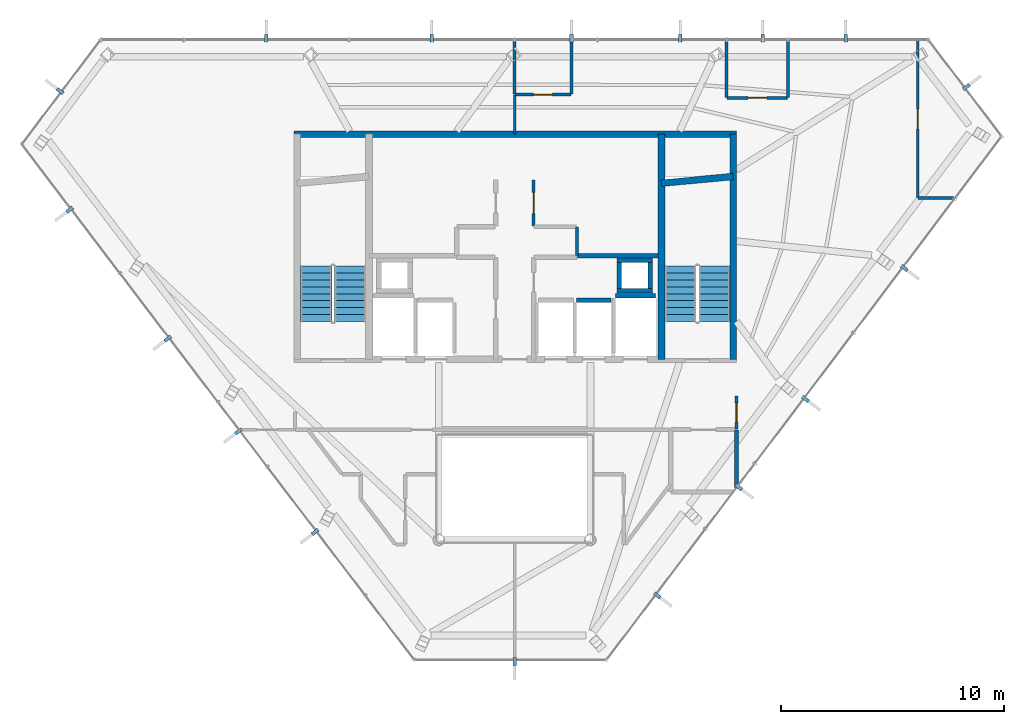
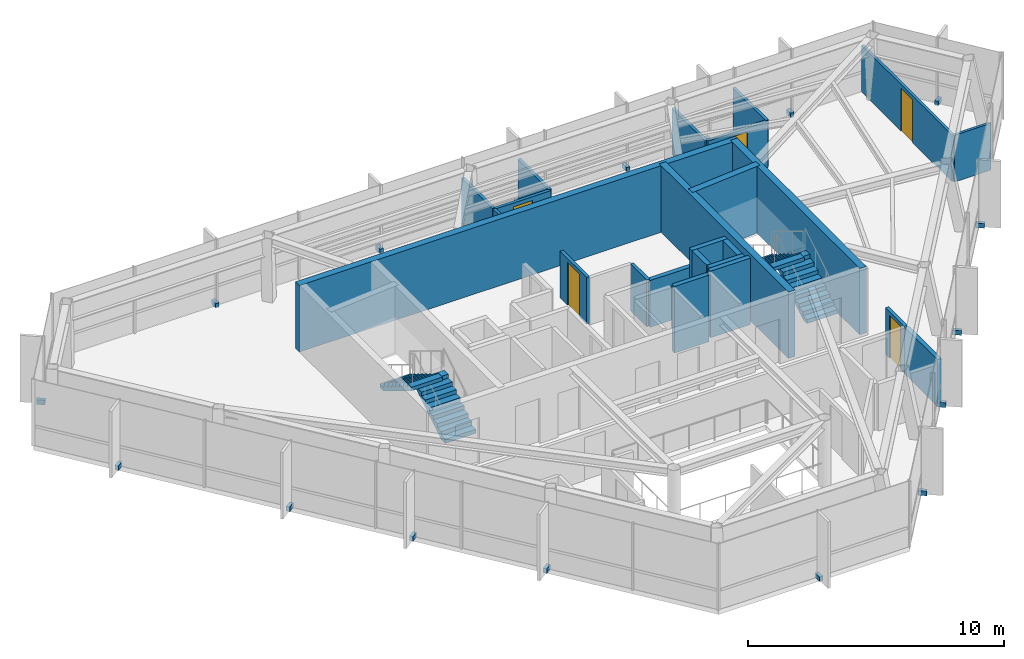
# One storey, part 20 of 21: 24 walls, 17 discrete accessories, 5 doors, 4 stair flights, 5 openings, 2 elements without a shape of their own.
"""IFC4 building model written with IfcOpenShell, lengths in metres."""

from ifc_helpers import new_model, si_unit, direction, frame, frame_2d, origin, origin_2d, place, context, subcontext, project, spatial, polyline, rectangle, outline, extrude, material, layer, layer_set, type_object, element, fill, aggregate, save


model = new_model("IFC4")

# Units and contexts
model_context = context("Model", 3, precision=1e-05, world=origin(), true_north=direction((0.0, 1.0)))
body_context = subcontext(model_context, "Body", "Model", "MODEL_VIEW")
ifc_project = project(units=[si_unit("LENGTHUNIT", "METRE"), si_unit("AREAUNIT", "SQUARE_METRE"), si_unit("VOLUMEUNIT", "CUBIC_METRE"), si_unit("PLANEANGLEUNIT", "RADIAN"), si_unit("MASSUNIT", "GRAM", prefix="KILO")], contexts=[model_context])

# Site, building, storey
site_placement = place(None, origin())
site = spatial("IfcSite", under=ifc_project, at=site_placement, CompositionType="ELEMENT")
building_placement = place(site_placement, origin())
building = spatial("IfcBuilding", under=site, at=building_placement, Name="Zarrinselat Tower", CompositionType="ELEMENT")
storey_placement = place(building_placement, frame((0.0, 0.0, 285.60009765625)))
storey = spatial("IfcBuildingStorey", under=building, at=storey_placement, Name="L73", CompositionType="ELEMENT", Elevation=285.60009765625)

# Wall
ifc_material_1 = material(Name="Concrete C40/50", Category="concrete")
ifc_layer_1 = layer(ifc_material_1, 0.18994140625)
ifc_layer_set_1 = layer_set([ifc_layer_1], Name="Concrete C40/50")
wall_type_1 = type_object("IfcWallType", Name="WAL-PART-EI120", PredefinedType="PARTITIONING", material=ifc_layer_set_1)
wall_1_placement = place(storey_placement, frame((48.35009765625, 27.554443359375, 0.0), z_axis=(0.0, 0.0, 1.0), x_axis=(0.0, 1.0, 0.0)))
element("IfcWall", 1, at=wall_1_placement, inside=storey, type_object=wall_type_1, Name="L73 Partition Wall 20", PredefinedType="PARTITIONING", context=body_context, shape_type="SweptSolid", body=[
    extrude(rectangle(XDim=2.575439453125, YDim=0.18994140625, at=frame_2d((1.28759765625, 0.0))), origin(), (0.0, 0.0, 1.0), 2.23486328125),
])

# Wall, opening, door
ifc_material_2 = material(Name="Fire-Rated Gypsum Board Partition", Category="gypsum")
ifc_layer_2 = layer(ifc_material_2, 0.14990234375)
ifc_layer_set_2 = layer_set([ifc_layer_2], Name="Fire-Rated Gypsum Board Partition")
wall_type_2 = type_object("IfcWallType", Name="WAL-PART-EI60", PredefinedType="PARTITIONING", material=ifc_layer_set_2)
wall_2_placement = place(storey_placement, frame((39.25, 39.27001953125, 0.0), z_axis=(0.0, 0.0, 1.0), x_axis=(0.0, 1.0, 0.0)))
wall_2 = element("IfcWall", 2, at=wall_2_placement, inside=storey, type_object=wall_type_2, Name="L73 Partition Wall 8", PredefinedType="PARTITIONING", context=body_context, shape_type="SweptSolid", body=[
    extrude(rectangle(XDim=2.080078125, YDim=0.14990234375, at=frame_2d((1.0400390625, 0.0))), origin(), (0.0, 0.0, 1.0), 2.23486328125),
])
opening_1_placement = place(wall_2_placement, frame((0.570068359375, 0.0, 0.0)))
opening_1 = element("IfcOpeningElement", 3, at=opening_1_placement, cuts=wall_2, Name="Opening ID-04", PredefinedType="OPENING", context=body_context, shape_type="SweptSolid", body=[
    extrude(rectangle(XDim=0.93994140625, YDim=2.050048828125, at=frame_2d((0.469970703125, 1.02490234375))), frame((0.0, 0.0849609375, 0.0), z_axis=(0.0, -1.0, 0.0), x_axis=(1.0, 0.0, 0.0)), (0.0, 0.0, 1.0), 0.169921875),
])
ifc_material_3 = material(Name="Fire-Rated Gypsum Board Partition")
door_type_1 = type_object("IfcDoorType", Name="DR-INT-FD30-ENT", OperationType="NOTDEFINED", PredefinedType="DOOR", material=ifc_material_3)
door_1_placement = place(opening_1_placement, origin())
door_1 = element("IfcDoor", 4, at=door_1_placement, inside=storey, type_object=door_type_1, Name="L73 Interior Door P8", OperationType="SINGLE_SWING_RIGHT", OverallHeight=2.050048828125, OverallWidth=0.93994140625, PredefinedType="DOOR", context=body_context, shape_type="SweptSolid", body=[
    extrude(rectangle(XDim=0.93994140625, YDim=2.050048828125, at=frame_2d((0.469970703125, 1.02490234375))), frame((0.0, 0.02490234375, 0.0), z_axis=(0.0, -1.0, 0.0), x_axis=(1.0, 0.0, 0.0)), (0.0, 0.0, 1.0), 0.050048828125),
])
fill(opening_1, door_1)

# Wall
wall_3_placement = place(storey_placement, frame((41.199951171875, 37.955078125, 0.0), z_axis=(0.0, 0.0, 1.0), x_axis=(0.0, 1.0, 0.0)))
element("IfcWall", 5, at=wall_3_placement, inside=storey, type_object=wall_type_2, Name="L73 Partition Wall 10", PredefinedType="PARTITIONING", context=body_context, shape_type="SweptSolid", body=[
    extrude(rectangle(XDim=1.27490234375, YDim=0.14990234375, at=frame_2d((0.637451171875, 0.0))), origin(), (0.0, 0.0, 1.0), 2.23486328125),
])

# Wall, opening, door
wall_4_placement = place(storey_placement, frame((48.35009765625, 30.169921875, 0.0), z_axis=(0.0, 0.0, 1.0), x_axis=(0.0, 1.0, 0.0)))
wall_4 = element("IfcWall", 6, at=wall_4_placement, inside=storey, type_object=wall_type_2, Name="L73 Partition Wall 16", PredefinedType="PARTITIONING", context=body_context, shape_type="SweptSolid", body=[
    extrude(rectangle(XDim=1.477783203125, YDim=0.14990234375, at=frame_2d((0.73876953125, 0.0))), origin(), (0.0, 0.0, 1.0), 2.23486328125),
])
opening_2_placement = place(wall_4_placement, frame((0.298828125, 0.0, 0.0)))
opening_2 = element("IfcOpeningElement", 7, at=opening_2_placement, cuts=wall_4, Name="Opening ID-03", PredefinedType="OPENING", context=body_context, shape_type="SweptSolid", body=[
    extrude(rectangle(XDim=0.8798828125, YDim=2.050048828125, at=frame_2d((0.43994140625, 1.02490234375))), frame((0.0, 0.0849609375, 0.0), z_axis=(0.0, -1.0, 0.0), x_axis=(1.0, 0.0, 0.0)), (0.0, 0.0, 1.0), 0.169921875),
])
ifc_material_4 = material(Name="Steel S355J2", Category="steel")
door_type_2 = type_object("IfcDoorType", Name="DR-INT-FD60-S", OperationType="NOTDEFINED", PredefinedType="DOOR", material=ifc_material_4)
door_2_placement = place(opening_2_placement, origin())
door_2 = element("IfcDoor", 8, at=door_2_placement, inside=storey, type_object=door_type_2, Name="L73 Interior Door P16", OperationType="SINGLE_SWING_LEFT", OverallHeight=2.050048828125, OverallWidth=0.8798828125, PredefinedType="DOOR", context=body_context, shape_type="SweptSolid", body=[
    extrude(rectangle(XDim=0.8798828125, YDim=2.050048828125, at=frame_2d((0.43994140625, 1.02490234375))), frame((0.0, 0.02490234375, 0.0), z_axis=(0.0, -1.0, 0.0), x_axis=(1.0, 0.0, 0.0)), (0.0, 0.0, 1.0), 0.050048828125),
])
fill(opening_2, door_2)

# Wall
ifc_material_5 = material(Name="Concrete C40/50", Category="concrete")
ifc_layer_3 = layer(ifc_material_5, 0.199951171875)
ifc_layer_set_3 = layer_set([ifc_layer_3], Name="Concrete C40/50")
wall_type_3 = type_object("IfcWallType", Name="WAL-PART-PLANT", PredefinedType="PARTITIONING", material=ifc_layer_set_3)
wall_5_placement = place(storey_placement, frame((41.219970703125, 37.949951171875, 0.0), z_axis=(0.0, 0.0, 1.0), x_axis=(1.0, 0.0, 0.0)))
element("IfcWall", 9, at=wall_5_placement, inside=storey, type_object=wall_type_3, Name="L73 Partition Wall 12", PredefinedType="PARTITIONING", context=body_context, shape_type="SweptSolid", body=[
    extrude(rectangle(XDim=3.614990234375, YDim=0.199951171875, at=frame_2d((1.8076171875, 0.0))), origin(), (0.0, 0.0, 1.0), 2.23486328125),
])

# Wall, opening, door
ifc_material_6 = material(Name="Fire-Rated Gypsum Board Partition", Category="gypsum")
ifc_layer_4 = layer(ifc_material_6, 0.1201171875)
ifc_layer_set_4 = layer_set([ifc_layer_4], Name="Fire-Rated Gypsum Board Partition")
wall_type_4 = type_object("IfcWallType", Name="WAL-PART-STD", PredefinedType="PARTITIONING", material=ifc_layer_set_4)
wall_6_placement = place(storey_placement, frame((56.473388671875, 40.55517578125, 0.0), z_axis=(0.0, 0.0, 1.0), x_axis=(0.0, 1.0, 0.0)))
wall_6 = element("IfcWall", 10, at=wall_6_placement, inside=storey, type_object=wall_type_4, Name="L73 Partition Wall 38", PredefinedType="PARTITIONING", context=body_context, shape_type="SweptSolid", body=[
    extrude(rectangle(XDim=7.063232421875, YDim=0.1201171875, at=frame_2d((3.53173828125, 0.0))), origin(), (0.0, 0.0, 1.0), 2.23486328125),
])
opening_3_placement = place(wall_6_placement, frame((3.08154296875, 0.0, 0.0)))
opening_3 = element("IfcOpeningElement", 11, at=opening_3_placement, cuts=wall_6, Name="Opening ID-05", PredefinedType="OPENING", context=body_context, shape_type="SweptSolid", body=[
    extrude(rectangle(XDim=0.89990234375, YDim=2.050048828125, at=frame_2d((0.449951171875, 1.02490234375))), frame((0.0, 0.070068359375, 0.0), z_axis=(0.0, -1.0, 0.0), x_axis=(1.0, 0.0, 0.0)), (0.0, 0.0, 1.0), 0.14013671875),
])
ifc_material_7 = material(Name="Extruded Aluminium Alloy EN AW-6063 T6", Category="aluminium")
door_type_3 = type_object("IfcDoorType", Name="DR-INT-STD-920", OperationType="NOTDEFINED", PredefinedType="DOOR", material=ifc_material_7)
door_3_placement = place(opening_3_placement, origin())
door_3 = element("IfcDoor", 12, at=door_3_placement, inside=storey, type_object=door_type_3, Name="L73 Interior Door P38", OperationType="SINGLE_SWING_LEFT", OverallHeight=2.050048828125, OverallWidth=0.89990234375, PredefinedType="DOOR", context=body_context, shape_type="SweptSolid", body=[
    extrude(rectangle(XDim=0.89990234375, YDim=2.050048828125, at=frame_2d((0.449951171875, 1.02490234375))), frame((0.0, 0.02490234375, 0.0), z_axis=(0.0, -1.0, 0.0), x_axis=(1.0, 0.0, 0.0)), (0.0, 0.0, 1.0), 0.050048828125),
])
fill(opening_3, door_3)

# Walls
wall_7_placement = place(storey_placement, frame((56.493408203125, 40.53515625, 0.0), z_axis=(0.0, 0.0, 1.0), x_axis=(1.0, 0.0, 0.0)))
element("IfcWall", 13, at=wall_7_placement, inside=storey, type_object=wall_type_4, Name="L73 Partition Wall 39", PredefinedType="PARTITIONING", context=body_context, shape_type="SweptSolid", body=[
    extrude(rectangle(XDim=1.650634765625, YDim=0.1201171875, at=frame_2d((0.8251953125, 0.0))), origin(), (0.0, 0.0, 1.0), 2.23486328125),
])
wall_8_placement = place(storey_placement, frame((38.39990234375, 43.4150390625, 0.0), z_axis=(0.0, 0.0, 1.0), x_axis=(0.0, 1.0, 0.0)))
element("IfcWall", 14, at=wall_8_placement, inside=storey, type_object=wall_type_4, Name="L73 Partition Wall 40", PredefinedType="PARTITIONING", context=body_context, shape_type="SweptSolid", body=[
    extrude(rectangle(XDim=1.73828125, YDim=0.1201171875, at=frame_2d((0.869140625, 0.0))), origin(), (0.0, 0.0, 1.0), 2.23486328125),
])
ifc_material_8 = material(Name="Fire-Rated Gypsum Board Partition", Category="gypsum")
ifc_layer_5 = layer(ifc_material_8, 0.135009765625)
ifc_layer_set_5 = layer_set([ifc_layer_5], Name="Fire-Rated Gypsum Board Partition")
wall_type_5 = type_object("IfcWallType", Name="WAL-PART-WET", PredefinedType="PARTITIONING", material=ifc_layer_set_5)
wall_9_placement = place(storey_placement, frame((47.91259765625, 45.043212890625, 0.0), z_axis=(0.0, 0.0, 1.0), x_axis=(0.0, 1.0, 0.0)))
element("IfcWall", 15, at=wall_9_placement, inside=storey, type_object=wall_type_5, Name="L73 Partition Wall 33", PredefinedType="PARTITIONING", context=body_context, shape_type="SweptSolid", body=[
    extrude(rectangle(XDim=2.5751953125, YDim=0.135009765625, at=frame_2d((1.28759765625, 0.0))), origin(), (0.0, 0.0, 1.0), 2.23486328125),
])

# Wall, opening, door
wall_10_placement = place(storey_placement, frame((47.9326171875, 45.023193359375, 0.0), z_axis=(0.0, 0.0, 1.0), x_axis=(1.0, 0.0, 0.0)))
wall_10 = element("IfcWall", 16, at=wall_10_placement, inside=storey, type_object=wall_type_5, Name="L73 Partition Wall 34", PredefinedType="PARTITIONING", context=body_context, shape_type="SweptSolid", body=[
    extrude(rectangle(XDim=2.7099609375, YDim=0.135009765625, at=frame_2d((1.35498046875, 0.0))), origin(), (0.0, 0.0, 1.0), 2.23486328125),
])
opening_4_placement = place(wall_10_placement, frame((0.925048828125, 0.0, 0.0)))
opening_4 = element("IfcOpeningElement", 17, at=opening_4_placement, cuts=wall_10, Name="Opening ID-06", PredefinedType="OPENING", context=body_context, shape_type="SweptSolid", body=[
    extrude(rectangle(XDim=0.860107421875, YDim=2.050048828125, at=frame_2d((0.43017578125, 1.02490234375))), frame((0.0, 0.077392578125, 0.0), z_axis=(0.0, -1.0, 0.0), x_axis=(1.0, 0.0, 0.0)), (0.0, 0.0, 1.0), 0.155029296875),
])
ifc_material_9 = material(Name="Extruded Aluminium Alloy EN AW-6063 T6", Category="aluminium")
door_type_4 = type_object("IfcDoorType", Name="DR-INT-WET-900", OperationType="NOTDEFINED", PredefinedType="DOOR", material=ifc_material_9)
door_4_placement = place(opening_4_placement, origin())
door_4 = element("IfcDoor", 18, at=door_4_placement, inside=storey, type_object=door_type_4, Name="L73 Interior Door P34", OperationType="SINGLE_SWING_LEFT", OverallHeight=2.050048828125, OverallWidth=0.860107421875, PredefinedType="DOOR", context=body_context, shape_type="SweptSolid", body=[
    extrude(rectangle(XDim=0.860107421875, YDim=2.050048828125, at=frame_2d((0.43017578125, 1.02490234375))), frame((0.0, 0.02490234375, 0.0), z_axis=(0.0, -1.0, 0.0), x_axis=(1.0, 0.0, 0.0)), (0.0, 0.0, 1.0), 0.050048828125),
])
fill(opening_4, door_4)

# Wall
wall_11_placement = place(storey_placement, frame((50.66259765625, 45.043212890625, 0.0), z_axis=(0.0, 0.0, 1.0), x_axis=(0.0, 1.0, 0.0)))
element("IfcWall", 19, at=wall_11_placement, inside=storey, type_object=wall_type_5, Name="L73 Partition Wall 35", PredefinedType="PARTITIONING", context=body_context, shape_type="SweptSolid", body=[
    extrude(rectangle(XDim=2.5751953125, YDim=0.135009765625, at=frame_2d((1.28759765625, 0.0))), origin(), (0.0, 0.0, 1.0), 2.23486328125),
])

# Wall, opening, door
wall_12_placement = place(storey_placement, frame((38.419921875, 45.17333984375, 0.0), z_axis=(0.0, 0.0, 1.0), x_axis=(1.0, 0.0, 0.0)))
wall_12 = element("IfcWall", 20, at=wall_12_placement, inside=storey, type_object=wall_type_5, Name="L73 Partition Wall 36", PredefinedType="PARTITIONING", context=body_context, shape_type="SweptSolid", body=[
    extrude(rectangle(XDim=2.510009765625, YDim=0.135009765625, at=frame_2d((1.2548828125, 0.0))), origin(), (0.0, 0.0, 1.0), 2.23486328125),
])
opening_5_placement = place(wall_12_placement, frame((0.824951171875, 0.0, 0.0)))
opening_5 = element("IfcOpeningElement", 21, at=opening_5_placement, cuts=wall_12, Name="Opening ID-06", PredefinedType="OPENING", context=body_context, shape_type="SweptSolid", body=[
    extrude(rectangle(XDim=0.860107421875, YDim=2.050048828125, at=frame_2d((0.43017578125, 1.02490234375))), frame((0.0, 0.077392578125, 0.0), z_axis=(0.0, -1.0, 0.0), x_axis=(1.0, 0.0, 0.0)), (0.0, 0.0, 1.0), 0.155029296875),
])
door_5_placement = place(opening_5_placement, origin())
door_5 = element("IfcDoor", 22, at=door_5_placement, inside=storey, type_object=door_type_4, Name="L73 Interior Door P36", OperationType="SINGLE_SWING_RIGHT", OverallHeight=2.050048828125, OverallWidth=0.860107421875, PredefinedType="DOOR", context=body_context, shape_type="SweptSolid", body=[
    extrude(rectangle(XDim=0.860107421875, YDim=2.050048828125, at=frame_2d((0.43017578125, 1.02490234375))), frame((0.0, 0.02490234375, 0.0), z_axis=(0.0, -1.0, 0.0), x_axis=(1.0, 0.0, 0.0)), (0.0, 0.0, 1.0), 0.050048828125),
])
fill(opening_5, door_5)

# Walls
for number, where, z_axis, x_axis, name in (
    (23, (40.949951171875, 45.193359375, 0.0), (0.0, 0.0, 1.0), (0.0, 1.0, 0.0), "L73 Partition Wall 37"),
    (24, (38.39990234375, 45.193359375, 0.0), (0.0, 0.0, 1.0), (0.0, 1.0, 0.0), "L73 Partition Wall 41"),
):
    element("IfcWall", number, at=place(storey_placement, frame(where, z_axis=z_axis, x_axis=x_axis)), inside=storey, type_object=wall_type_5, Name=name, PredefinedType="PARTITIONING", context=body_context, shape_type="SweptSolid", body=[
        extrude(rectangle(XDim=2.425048828125, YDim=0.135009765625, at=frame_2d((1.21240234375, 0.0))), origin(), (0.0, 0.0, 1.0), 2.23486328125),
    ])
ifc_material_10 = material(Name="Concrete C40/50", Category="concrete")
ifc_layer_6 = layer(ifc_material_10, 0.2099609375)
ifc_layer_set_6 = layer_set([ifc_layer_6], Name="Concrete C40/50")
wall_type_6 = type_object("IfcWallType", Name="WAL-SHAFT-210", PredefinedType="SOLIDWALL", material=ifc_layer_set_6)
wall_13_placement = place(storey_placement, frame((42.919921875, 36.155029296875, 0.0), z_axis=(0.0, 0.0, 1.0), x_axis=(1.0, 0.0, 0.0)))
element("IfcWall", 25, at=wall_13_placement, inside=storey, type_object=wall_type_6, Name="L73 Lift FFL2 North Shaft Wall", PredefinedType="SOLIDWALL", context=body_context, shape_type="SweptSolid", body=[
    extrude(rectangle(XDim=1.800048828125, YDim=0.2099609375, at=frame_2d((0.89990234375, 0.0))), origin(), (0.0, 0.0, 1.0), 3.179931640625),
])
wall_14_placement = place(storey_placement, frame((41.169921875, 35.955078125, 0.0), z_axis=(0.0, 0.0, 1.0), x_axis=(1.0, 0.0, 0.0)))
element("IfcWall", 26, at=wall_14_placement, inside=storey, type_object=wall_type_6, Name="L73 Lift PL9 North Shaft Wall", PredefinedType="SOLIDWALL", context=body_context, shape_type="SweptSolid", body=[
    extrude(rectangle(XDim=1.56005859375, YDim=0.2099609375, at=frame_2d((0.780029296875, 0.0))), origin(), (0.0, 0.0, 1.0), 3.179931640625),
])
for number, where, z_axis, x_axis, name in (
    (27, (42.989990234375, 36.375, 0.0), (0.0, 0.0, 1.0), (1.0, 0.0, 0.0), "L73 Core Riser RSR-E S Shaft Wall"),
    (28, (42.989990234375, 37.7451171875, 0.0), (0.0, 0.0, 1.0), (1.0, 0.0, 0.0), "L73 Core Riser RSR-E N Shaft Wall"),
):
    element("IfcWall", number, at=place(storey_placement, frame(where, z_axis=z_axis, x_axis=x_axis)), inside=storey, type_object=wall_type_6, Name=name, PredefinedType="SOLIDWALL", context=body_context, shape_type="SweptSolid", body=[
        extrude(rectangle(XDim=1.60009765625, YDim=0.2099609375, at=frame_2d((0.800048828125, 0.0))), origin(), (0.0, 0.0, 1.0), 3.179931640625),
    ])
for number, where, z_axis, x_axis, name in (
    (29, (43.094970703125, 36.485107421875, 0.0), (0.0, 0.0, 1.0), (0.0, 1.0, 0.0), "L73 Core Riser RSR-E W Shaft Wall"),
    (30, (44.485107421875, 36.485107421875, 0.0), (0.0, 0.0, 1.0), (0.0, 1.0, 0.0), "L73 Core Riser RSR-E E Shaft Wall"),
):
    element("IfcWall", number, at=place(storey_placement, frame(where, z_axis=z_axis, x_axis=x_axis)), inside=storey, type_object=wall_type_6, Name=name, PredefinedType="SOLIDWALL", context=body_context, shape_type="SweptSolid", body=[
        extrude(rectangle(XDim=1.14990234375, YDim=0.2099609375, at=frame_2d((0.574951171875, 0.0))), origin(), (0.0, 0.0, 1.0), 3.179931640625),
    ])
ifc_material_11 = material(Name="Concrete C40/50", Category="concrete")
ifc_layer_7 = layer(ifc_material_11, 0.300048828125)
ifc_layer_set_7 = layer_set([ifc_layer_7], Name="Concrete C40/50")
wall_type_7 = type_object("IfcWallType", Name="WAL-SHEAR-300", PredefinedType="SHEAR", material=ifc_layer_set_7)
wall_15_placement = place(storey_placement, frame((28.5, 43.39990234375, 0.0), z_axis=(0.0, 0.0, 1.0), x_axis=(1.0, 0.0, 0.0)))
element("IfcWall", 31, at=wall_15_placement, inside=storey, type_object=wall_type_7, Name="L73 North Core Shear Wall", PredefinedType="SHEAR", context=body_context, shape_type="SweptSolid", body=[
    extrude(rectangle(XDim=19.860107421875, YDim=0.300048828125, at=frame_2d((9.93017578125, 0.0))), origin(), (0.0, 0.0, 1.0), 3.179931640625),
])
for number, where, z_axis, x_axis, name in (
    (32, (44.989990234375, 33.300048828125, 0.0), (0.0, 0.0, 1.0), (0.0, 1.0, 0.0), "L73 Core Shear Wall ST2W"),
    (33, (48.2099609375, 33.300048828125, 0.0), (0.0, 0.0, 1.0), (0.0, 1.0, 0.0), "L73 Core Shear Wall E"),
):
    element("IfcWall", number, at=place(storey_placement, frame(where, z_axis=z_axis, x_axis=x_axis)), inside=storey, type_object=wall_type_7, Name=name, PredefinedType="SHEAR", context=body_context, shape_type="SweptSolid", body=[
        extrude(rectangle(XDim=10.099853515625, YDim=0.300048828125, at=frame_2d((5.0498046875, 0.0))), origin(), (0.0, 0.0, 1.0), 3.179931640625),
    ])
wall_16_placement = place(storey_placement, frame((44.97998046875, 41.199951171875, 0.0), z_axis=(0.0, 0.0, 1.0), x_axis=(0.995686468965, 0.09278176286, 0.0)))
element("IfcWall", 34, at=wall_16_placement, inside=storey, type_object=wall_type_7, Name="L73 Stair 2 North Shaft Wall", PredefinedType="SHEAR", context=body_context, shape_type="SweptSolid", body=[
    extrude(rectangle(XDim=3.23388671875, YDim=0.300048828125, at=frame_2d((1.616943359375, 0.0))), origin(), (0.0, 0.0, 1.0), 3.179931640625),
])

# Stair, stair flights
ifc_material_12 = material(Name="Concrete C40/50", Category="concrete")
stair_type = type_object("IfcStairType", Name="STR-CORE-155", PredefinedType="HALF_TURN_STAIR", material=ifc_material_12)
stair_1_placement = place(storey_placement, origin())
stair_1 = element("IfcStair", 35, at=stair_1_placement, inside=storey, type_object=stair_type, Name="L73 Core Exit Stair 1", PredefinedType="HALF_TURN_STAIR")
ifc_material_13 = material(Name="Concrete C40/50", Category="concrete")
stair_flight_type = type_object("IfcStairFlightType", Name="STR-FLT-155", PredefinedType="STRAIGHT", material=ifc_material_13)
stair_flight_1_placement = place(storey_placement, frame((31.02001953125, 35.0, 0.0), z_axis=(0.0, 0.0, 1.0), x_axis=(0.0, 1.0, 0.0)))
stair_flight_1 = element("IfcStairFlight", 36, at=stair_flight_1_placement, type_object=stair_flight_type, Name="ST-1 flight 1", NumberOfRisers=9, NumberOfTreads=8, PredefinedType="STRAIGHT", RiserHeight=0.188888889, TreadLength=0.31, context=body_context, shape_type="SweptSolid", body=[
    extrude(outline(polyline([(0.0, 0.0), (0.0, 0.18896484375), (0.31005859375, 0.18896484375), (0.31005859375, 0.377685546875), (0.6201171875, 0.377685546875), (0.6201171875, 0.566650390625), (0.929931640625, 0.566650390625), (0.929931640625, 0.755615234375), (1.239990234375, 0.755615234375), (1.239990234375, 0.9443359375), (1.550048828125, 0.9443359375), (1.550048828125, 1.13330078125), (1.860107421875, 1.13330078125), (1.860107421875, 1.322265625), (2.169921875, 1.322265625), (2.169921875, 1.51123046875), (2.47998046875, 1.51123046875), (2.47998046875, 1.699951171875), (2.47998046875, 1.335693359375), (0.2880859375, 0.0), (0.0, 0.0)])), frame((0.0, 0.699951171875, 0.0), z_axis=(0.0, -1.0, 0.0), x_axis=(1.0, 0.0, 0.0)), (0.0, 0.0, 1.0), 1.39990234375),
])
stair_flight_2_placement = place(storey_placement, frame((29.5, 37.47998046875, 1.699951171875), z_axis=(0.0, 0.0, 1.0), x_axis=(0.0, -1.0, 0.0)))
stair_flight_2 = element("IfcStairFlight", 37, at=stair_flight_2_placement, type_object=stair_flight_type, Name="ST-1 flight 2", NumberOfRisers=9, NumberOfTreads=8, PredefinedType="STRAIGHT", RiserHeight=0.188888889, TreadLength=0.31, context=body_context, shape_type="SweptSolid", body=[
    extrude(outline(polyline([(0.0, 0.0), (0.0, 0.18896484375), (0.31005859375, 0.18896484375), (0.31005859375, 0.377685546875), (0.6201171875, 0.377685546875), (0.6201171875, 0.566650390625), (0.929931640625, 0.566650390625), (0.929931640625, 0.755615234375), (1.239990234375, 0.755615234375), (1.239990234375, 0.9443359375), (1.550048828125, 0.9443359375), (1.550048828125, 1.13330078125), (1.860107421875, 1.13330078125), (1.860107421875, 1.322265625), (2.169921875, 1.322265625), (2.169921875, 1.51123046875), (2.47998046875, 1.51123046875), (2.47998046875, 1.699951171875), (2.47998046875, 1.335693359375), (0.2880859375, 0.0), (0.0, 0.0)])), frame((0.0, 0.699951171875, 0.0), z_axis=(0.0, -1.0, 0.0), x_axis=(1.0, 0.0, 0.0)), (0.0, 0.0, 1.0), 1.39990234375),
])
aggregate(stair_1, [stair_flight_1, stair_flight_2])

stair_2_placement = place(storey_placement, origin())
stair_2 = element("IfcStair", 38, at=stair_2_placement, inside=storey, type_object=stair_type, Name="L73 Core Exit Stair 2", PredefinedType="HALF_TURN_STAIR")
stair_flight_3_placement = place(storey_placement, frame((47.360107421875, 35.0, 0.0), z_axis=(0.0, 0.0, 1.0), x_axis=(0.0, 1.0, 0.0)))
stair_flight_3 = element("IfcStairFlight", 39, at=stair_flight_3_placement, type_object=stair_flight_type, Name="ST-2 flight 1", NumberOfRisers=9, NumberOfTreads=8, PredefinedType="STRAIGHT", RiserHeight=0.188888889, TreadLength=0.31, context=body_context, shape_type="SweptSolid", body=[
    extrude(outline(polyline([(0.0, 0.0), (0.0, 0.18896484375), (0.31005859375, 0.18896484375), (0.31005859375, 0.377685546875), (0.6201171875, 0.377685546875), (0.6201171875, 0.566650390625), (0.929931640625, 0.566650390625), (0.929931640625, 0.755615234375), (1.239990234375, 0.755615234375), (1.239990234375, 0.9443359375), (1.550048828125, 0.9443359375), (1.550048828125, 1.13330078125), (1.860107421875, 1.13330078125), (1.860107421875, 1.322265625), (2.169921875, 1.322265625), (2.169921875, 1.51123046875), (2.47998046875, 1.51123046875), (2.47998046875, 1.699951171875), (2.47998046875, 1.335693359375), (0.2880859375, 0.0), (0.0, 0.0)])), frame((0.0, 0.699951171875, 0.0), z_axis=(0.0, -1.0, 0.0), x_axis=(1.0, 0.0, 0.0)), (0.0, 0.0, 1.0), 1.39990234375),
])
stair_flight_4_placement = place(storey_placement, frame((45.840087890625, 37.47998046875, 1.699951171875), z_axis=(0.0, 0.0, 1.0), x_axis=(0.0, -1.0, 0.0)))
stair_flight_4 = element("IfcStairFlight", 40, at=stair_flight_4_placement, type_object=stair_flight_type, Name="ST-2 flight 2", NumberOfRisers=9, NumberOfTreads=8, PredefinedType="STRAIGHT", RiserHeight=0.188888889, TreadLength=0.31, context=body_context, shape_type="SweptSolid", body=[
    extrude(outline(polyline([(0.0, 0.0), (0.0, 0.18896484375), (0.31005859375, 0.18896484375), (0.31005859375, 0.377685546875), (0.6201171875, 0.377685546875), (0.6201171875, 0.566650390625), (0.929931640625, 0.566650390625), (0.929931640625, 0.755615234375), (1.239990234375, 0.755615234375), (1.239990234375, 0.9443359375), (1.550048828125, 0.9443359375), (1.550048828125, 1.13330078125), (1.860107421875, 1.13330078125), (1.860107421875, 1.322265625), (2.169921875, 1.322265625), (2.169921875, 1.51123046875), (2.47998046875, 1.51123046875), (2.47998046875, 1.699951171875), (2.47998046875, 1.335693359375), (0.2880859375, 0.0), (0.0, 0.0)])), frame((0.0, 0.699951171875, 0.0), z_axis=(0.0, -1.0, 0.0), x_axis=(1.0, 0.0, 0.0)), (0.0, 0.0, 1.0), 1.39990234375),
])
aggregate(stair_2, [stair_flight_3, stair_flight_4])

# Discrete accessories
ifc_material_14 = material(Name="Steel S355J2", Category="steel")
discrete_accessory_type = type_object("IfcDiscreteAccessoryType", Name="ACC-FIN-BRACKET", PredefinedType="BRACKET", material=ifc_material_14)
for number, where, z_axis, x_axis, name in (
    (41, (53.244140625, 47.703369140625, -0.05029296875), (0.0, 0.0, 1.0), (0.0, 1.0, 0.0), "L73 Fin Fixing Bracket CW-L73-E01-01"),
    (42, (49.532958984375, 47.703369140625, -0.05029296875), (0.0, 0.0, 1.0), (0.0, 1.0, 0.0), "L73 Fin Fixing Bracket CW-L73-E01-03"),
    (43, (45.82177734375, 47.703369140625, -0.05029296875), (0.0, 0.0, 1.0), (0.0, 1.0, 0.0), "L73 Fin Fixing Bracket CW-L73-E01-05"),
    (44, (40.949951171875, 47.703369140625, -0.05029296875), (0.0, 0.0, 1.0), (0.0, 1.0, 0.0), "L73 Fin Fixing Bracket CW-L73-E01-07"),
    (45, (34.68798828125, 47.703369140625, -0.05029296875), (0.0, 0.0, 1.0), (0.0, 1.0, 0.0), "L73 Fin Fixing Bracket CW-L73-E01-09"),
    (46, (27.265380859375, 47.703369140625, -0.05029296875), (0.0, 0.0, 1.0), (0.0, 1.0, 0.0), "L73 Fin Fixing Bracket CW-L73-E01-11"),
    (47, (18.017333984375, 45.330810546875, -0.05029296875), (0.0, 0.0, 1.0), (-0.798164133577, 0.602440051683, 0.0), "L73 Fin Fixing Bracket CW-L73-E02-01"),
    (48, (18.44873046875, 40.010986328125, -0.05029296875), (0.0, 0.0, 1.0), (-0.795641841772, -0.60576733126, 0.0), "L73 Fin Fixing Bracket CW-L73-E03-01"),
    (49, (22.850341796875, 34.229736328125, -0.05029296875), (0.0, 0.0, 1.0), (-0.795641841772, -0.60576733126, 0.0), "L73 Fin Fixing Bracket CW-L73-E03-03"),
    (50, (26.016357421875, 30.0712890625, -0.05029296875), (0.0, 0.0, 1.0), (-0.795641841772, -0.60576733126, 0.0), "L73 Fin Fixing Bracket CW-L73-E03-05"),
    (51, (29.45263671875, 25.557861328125, -0.05029296875), (0.0, 0.0, 1.0), (-0.795641841772, -0.60576733126, 0.0), "L73 Fin Fixing Bracket CW-L73-E03-07"),
    (52, (38.39990234375, 19.7490234375, -0.05029296875), (0.0, 0.0, 1.0), (0.0, -1.0, 0.0), "L73 Fin Fixing Bracket CW-L73-E04-01"),
    (53, (44.794677734375, 22.712646484375, -0.05029296875), (0.0, 0.0, 1.0), (0.798160322284, -0.602445101176, 0.0), "L73 Fin Fixing Bracket CW-L73-E05-01"),
    (54, (48.453857421875, 27.560546875, -0.05029296875), (0.0, 0.0, 1.0), (0.798160322284, -0.602445101176, 0.0), "L73 Fin Fixing Bracket CW-L73-E05-03"),
    (55, (51.4423828125, 31.520263671875, -0.05029296875), (0.0, 0.0, 1.0), (0.798160322284, -0.602445101176, 0.0), "L73 Fin Fixing Bracket CW-L73-E05-05"),
    (56, (55.874267578125, 37.391845703125, -0.05029296875), (0.0, 0.0, 1.0), (0.798160322284, -0.602445101176, 0.0), "L73 Fin Fixing Bracket CW-L73-E05-07"),
    (57, (58.65869140625, 45.511962890625, -0.05029296875), (0.0, 0.0, 1.0), (0.795637208503, 0.605773416753, 0.0), "L73 Fin Fixing Bracket CW-L73-E06-01"),
):
    element("IfcDiscreteAccessory", number, at=place(storey_placement, frame(where, z_axis=z_axis, x_axis=x_axis)), inside=storey, type_object=discrete_accessory_type, Name=name, PredefinedType="BRACKET", context=body_context, shape_type="SweptSolid", body=[
        extrude(rectangle(XDim=0.340087890625, YDim=0.159912109375, at=origin_2d()), origin(), (0.0, 0.0, 1.0), 0.219970703125),
    ])

save(model, "model.ifc")
